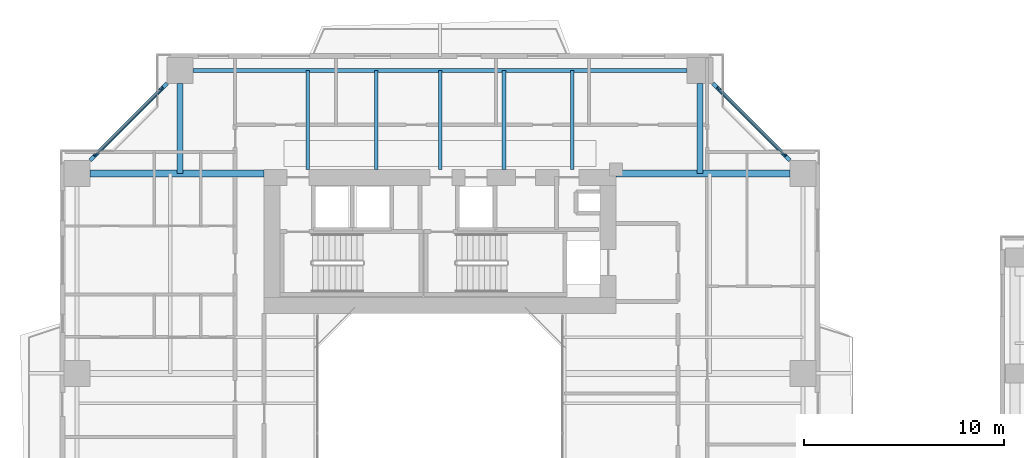
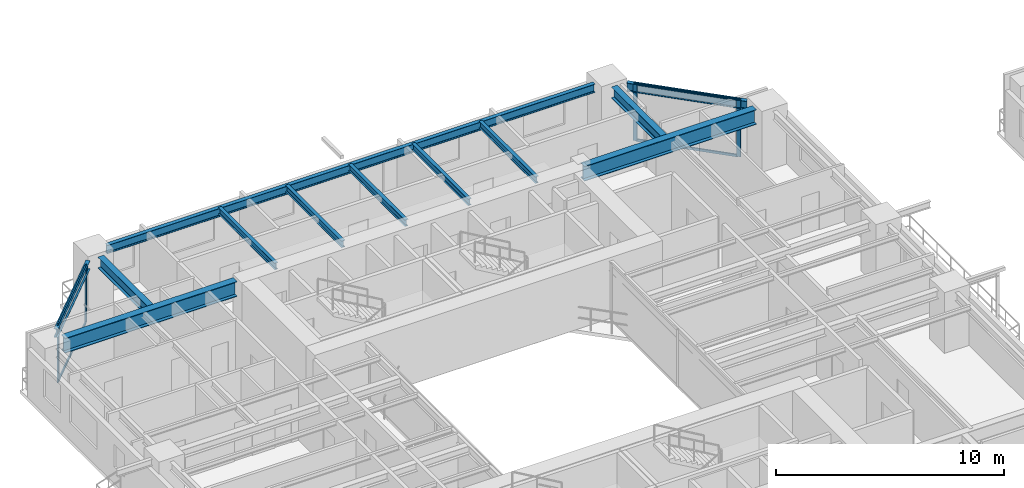
# One storey, part 10 of 23: 12 beams, 8 members, 2 elements without a shape of their own.
"""IFC4 building model written with IfcOpenShell, lengths in metres."""

from ifc_helpers import new_model, si_unit, direction, frame, origin, origin_2d, place, context, subcontext, project, spatial, rectangle, i_section, extrude, source, transform, mapped, material, layer, layer_set, material_profile, profile_set, type_object, element, aggregate, save


model = new_model("IFC4")

# Units and contexts
model_context = context("Model", 3, precision=1e-05, world=origin(), true_north=direction((0.0, 1.0)))
body_context = subcontext(model_context, "Body", "Model", "MODEL_VIEW")
ifc_project = project(units=[si_unit("LENGTHUNIT", "METRE"), si_unit("AREAUNIT", "SQUARE_METRE"), si_unit("VOLUMEUNIT", "CUBIC_METRE"), si_unit("PLANEANGLEUNIT", "RADIAN"), si_unit("MASSUNIT", "GRAM", prefix="KILO"), si_unit("THERMODYNAMICTEMPERATUREUNIT", "KELVIN"), si_unit("POWERUNIT", "WATT")], contexts=[model_context])

# Site, building, storey
site_placement = place(None, origin())
site = spatial("IfcSite", under=ifc_project, at=site_placement, CompositionType="ELEMENT")
building_placement = place(site_placement, origin())
building = spatial("IfcBuilding", under=site, at=building_placement, Name="Qiaomeng Ring Towers", CompositionType="ELEMENT")
storey_placement = place(building_placement, frame((0.0, 0.0, 66.5)))
storey = spatial("IfcBuildingStorey", under=building, at=storey_placement, Name="L18", CompositionType="ELEMENT", Elevation=66.5)

# Beams
ifc_material_1 = material(Name="Steel Q355B", Category="steel")
ifc_material_profile_1 = material_profile(ifc_material_1, i_section(OverallWidth=0.199951171875, OverallDepth=0.449951171875, WebThickness=0.009033203125, FlangeThickness=0.013916015625, FilletRadius=0.01806640625, at=origin_2d()), Name="HN 450x200x9x14")
ifc_profile_set_1 = profile_set([ifc_material_profile_1], Name="Steel Q355B")
beam_type_1 = type_object("IfcBeamType", Name="STR-BM-HN450", PredefinedType="SPANDREL", material=ifc_profile_set_1)
shared_shape_1 = source(origin(), body_context, "Body", "SweptSolid", [
    extrude(i_section(OverallWidth=0.199951171875, OverallDepth=0.449951171875, WebThickness=0.009033203125, FlangeThickness=0.013916015625, FilletRadius=0.01806640625, at=origin_2d()), origin(), (0.0, 0.0, 1.0), 24.7021484375),
])
beam_placement = place(storey_placement, frame((31.35107421875, 41.14990234375, 2.844970703125), z_axis=(-1.0, 0.0, 0.0), x_axis=(0.0, -1.0, 0.0)))
element("IfcBeam", 1, at=beam_placement, inside=storey, type_object=beam_type_1, Name="L18 beam STR-SP-L18-T1-N2-N1", PredefinedType="SPANDREL", context=body_context, shape_type="MappedRepresentation", body=[
    mapped(shared_shape_1, transform((0.0, 0.0, 0.0), x_axis=(1.0, 0.0, 0.0), y_axis=(0.0, 1.0, 0.0), z_axis=(0.0, 0.0, 1.0), scale=1.0)),
])
shared_shape_2 = source(origin(), body_context, "Body", "SweptSolid", [
    extrude(i_section(OverallWidth=0.199951171875, OverallDepth=0.449951171875, WebThickness=0.009033203125, FlangeThickness=0.013916015625, FilletRadius=0.01806640625, at=origin_2d()), origin(), (0.0, 0.0, 1.0), 5.446533203125),
])
for number, where, z_axis, x_axis, name in (
    (2, (36.500732421875, 36.6494140625, 2.844970703125), (-0.707106781187, 0.707106781187, 0.0), (-0.707106781187, -0.707106781187, 0.0), "L18 beam STR-SP-L18-T1-E4-N2"),
    (3, (5.3505859375, 40.500732421875, 2.844970703125), (-0.707106781187, -0.707106781187, 0.0), (0.707106781187, -0.707106781187, 0.0), "L18 beam STR-SP-L18-T1-N1-W4"),
):
    element("IfcBeam", number, at=place(storey_placement, frame(where, z_axis=z_axis, x_axis=x_axis)), inside=storey, type_object=beam_type_1, Name=name, PredefinedType="SPANDREL", context=body_context, shape_type="MappedRepresentation", body=[
        mapped(shared_shape_2, transform((0.0, 0.0, 0.0), x_axis=(1.0, 0.0, 0.0), y_axis=(0.0, 1.0, 0.0), z_axis=(0.0, 0.0, 1.0), scale=1.0)),
    ])
ifc_material_2 = material(Name="Steel Q390GJC", Category="steel")
ifc_material_profile_2 = material_profile(ifc_material_2, i_section(OverallWidth=0.35009765625, OverallDepth=0.800048828125, WebThickness=0.01611328125, FlangeThickness=0.028076171875, at=origin_2d()), Name="WH 800x350x16x28")
ifc_profile_set_2 = profile_set([ifc_material_profile_2], Name="Steel Q390GJC")
beam_type_2 = type_object("IfcBeamType", Name="STR-BM-WH800", PredefinedType="BEAM", material=ifc_profile_set_2)
shared_shape_3 = source(origin(), body_context, "Body", "SweptSolid", [
    extrude(i_section(OverallWidth=0.35009765625, OverallDepth=0.800048828125, WebThickness=0.01611328125, FlangeThickness=0.028076171875, at=origin_2d()), origin(), (0.0, 0.0, 1.0), 8.700927734375),
])
for number, where, z_axis, x_axis, name in (
    (4, (1.4990234375, 36.0, 2.669921875), (1.0, 0.0, 0.0), (0.0, 1.0, 0.0), "L18 beam STR-BM-L18-T1-RAD-W4"),
    (5, (27.800048828125, 36.0, 2.669921875), (1.0, 0.0, 0.0), (0.0, 1.0, 0.0), "L18 beam STR-BM-L18-T1-RAD-E4"),
):
    element("IfcBeam", number, at=place(storey_placement, frame(where, z_axis=z_axis, x_axis=x_axis)), inside=storey, type_object=beam_type_2, Name=name, PredefinedType="BEAM", context=body_context, shape_type="MappedRepresentation", body=[
        mapped(shared_shape_3, transform((0.0, 0.0, 0.0), x_axis=(1.0, 0.0, 0.0), y_axis=(0.0, 1.0, 0.0), z_axis=(0.0, 0.0, 1.0), scale=1.0)),
    ])
ifc_material_profile_3 = material_profile(ifc_material_1, i_section(OverallWidth=0.300048828125, OverallDepth=0.587890625, WebThickness=0.011962890625, FlangeThickness=0.02001953125, FilletRadius=0.028076171875, at=origin_2d()), Name="HM 588x300x12x20")
ifc_profile_set_3 = profile_set([ifc_material_profile_3], Name="Steel Q355B")
beam_type_3 = type_object("IfcBeamType", Name="STR-BM-HM588", PredefinedType="BEAM", material=ifc_profile_set_3)
shared_shape_4 = source(origin(), body_context, "Body", "SweptSolid", [
    extrude(i_section(OverallWidth=0.300048828125, OverallDepth=0.587890625, WebThickness=0.011962890625, FlangeThickness=0.02001953125, FilletRadius=0.028076171875, at=origin_2d()), origin(), (0.0, 0.0, 1.0), 4.5009765625),
])
for number, where, z_axis, x_axis, name in (
    (6, (6.0, 40.5009765625, 2.77587890625), (0.0, -1.0, 0.0), (1.0, 0.0, 0.0), "L18 beam STR-BM-L18-T1-RAD-N1"),
    (7, (32.0, 40.5009765625, 2.77587890625), (0.0, -1.0, 0.0), (1.0, 0.0, 0.0), "L18 beam STR-BM-L18-T1-RAD-N2"),
):
    element("IfcBeam", number, at=place(storey_placement, frame(where, z_axis=z_axis, x_axis=x_axis)), inside=storey, type_object=beam_type_3, Name=name, PredefinedType="BEAM", context=body_context, shape_type="MappedRepresentation", body=[
        mapped(shared_shape_4, transform((0.0, 0.0, 0.0), x_axis=(1.0, 0.0, 0.0), y_axis=(0.0, 1.0, 0.0), z_axis=(0.0, 0.0, 1.0), scale=1.0)),
    ])
ifc_material_profile_4 = material_profile(ifc_material_1, i_section(OverallWidth=0.175048828125, OverallDepth=0.35009765625, WebThickness=0.007080078125, FlangeThickness=0.010986328125, FilletRadius=0.013916015625, at=origin_2d()), Name="HN 350x175x7x11")
ifc_profile_set_4 = profile_set([ifc_material_profile_4], Name="Steel Q355B")
beam_type_4 = type_object("IfcBeamType", Name="STR-BM-HN350", PredefinedType="JOIST", material=ifc_profile_set_4)
shared_shape_5 = source(origin(), body_context, "Body", "SweptSolid", [
    extrude(i_section(OverallWidth=0.175048828125, OverallDepth=0.35009765625, WebThickness=0.007080078125, FlangeThickness=0.010986328125, FilletRadius=0.013916015625, at=origin_2d()), origin(), (0.0, 0.0, 1.0), 4.949951171875),
])
for number, where, z_axis, x_axis, name in (
    (8, (12.39990234375, 36.199951171875, 2.89501953125), (0.0, 1.0, 0.0), (-1.0, 0.0, 0.0), "L18 beam STR-JST-L18-T1N-1"),
    (9, (15.800048828125, 36.199951171875, 2.89501953125), (0.0, 1.0, 0.0), (-1.0, 0.0, 0.0), "L18 beam STR-JST-L18-T1N-2"),
    (10, (19.0, 36.199951171875, 2.89501953125), (0.0, 1.0, 0.0), (-1.0, 0.0, 0.0), "L18 beam STR-JST-L18-T1N-3"),
    (11, (22.199951171875, 36.199951171875, 2.89501953125), (0.0, 1.0, 0.0), (-1.0, 0.0, 0.0), "L18 beam STR-JST-L18-T1N-4"),
    (12, (25.60009765625, 36.199951171875, 2.89501953125), (0.0, 1.0, 0.0), (-1.0, 0.0, 0.0), "L18 beam STR-JST-L18-T1N-5"),
):
    element("IfcBeam", number, at=place(storey_placement, frame(where, z_axis=z_axis, x_axis=x_axis)), inside=storey, type_object=beam_type_4, Name=name, PredefinedType="JOIST", context=body_context, shape_type="MappedRepresentation", body=[
        mapped(shared_shape_5, transform((0.0, 0.0, 0.0), x_axis=(1.0, 0.0, 0.0), y_axis=(0.0, 1.0, 0.0), z_axis=(0.0, 0.0, 1.0), scale=1.0)),
    ])

# Curtain wall, members
ifc_material_3 = material(Name="Fluorocarbon dark-grey aluminium", Category="aluminium")
ifc_layer = layer(ifc_material_3, 0.159912109375, Name="Fluorocarbon dark-grey aluminium")
ifc_layer_set = layer_set([ifc_layer], Name="Fluorocarbon dark-grey aluminium")
curtain_wall_type = type_object("IfcCurtainWallType", Name="ARC-CW-2", PredefinedType="NOTDEFINED", material=ifc_layer_set)
curtain_wall_1_placement = place(storey_placement, origin())
curtain_wall_1 = element("IfcCurtainWall", 13, at=curtain_wall_1_placement, inside=storey, type_object=curtain_wall_type, Name="L18 Curtain Wall CW2", PredefinedType="NOTDEFINED")
ifc_material_profile_5 = material_profile(ifc_material_3, rectangle(XDim=0.070068359375, YDim=0.179931640625, at=origin_2d()), Name="ALU MULL 70x180")
ifc_profile_set_5 = profile_set([ifc_material_profile_5], Name="Fluorocarbon dark-grey aluminium")
member_type_1 = type_object("IfcMemberType", Name="ARC-CWM-160", PredefinedType="MULLION", material=ifc_profile_set_5)
shared_shape_6 = source(origin(), body_context, "Body", "SweptSolid", [
    extrude(rectangle(XDim=0.070068359375, YDim=0.179931640625, at=origin_2d()), origin(), (0.0, 0.0, 1.0), 3.070068359375),
])
member_1_placement = place(storey_placement, frame((36.2353515625, 36.914794921875, 0.0), z_axis=(0.0, 0.0, 1.0), x_axis=(-0.707106781187, -0.707106781187, 0.0)))
member_1 = element("IfcMember", 14, at=member_1_placement, type_object=member_type_1, Name="CW2 mullion 1", PredefinedType="MULLION", context=body_context, shape_type="MappedRepresentation", body=[
    mapped(shared_shape_6, transform((0.0, 0.0, 0.0), x_axis=(1.0, 0.0, 0.0), y_axis=(0.0, 1.0, 0.0), z_axis=(0.0, 0.0, 1.0), scale=1.0)),
])
member_2_placement = place(storey_placement, frame((32.914794921875, 40.2353515625, 0.0), z_axis=(0.0, 0.0, 1.0), x_axis=(-0.707106781187, -0.707106781187, 0.0)))
member_2 = element("IfcMember", 15, at=member_2_placement, type_object=member_type_1, Name="CW2 mullion 2", PredefinedType="MULLION", context=body_context, shape_type="MappedRepresentation", body=[
    mapped(shared_shape_6, transform((0.0, 0.0, 0.0), x_axis=(1.0, 0.0, 0.0), y_axis=(0.0, 1.0, 0.0), z_axis=(0.0, 0.0, 1.0), scale=1.0)),
])

curtain_wall_2_placement = place(storey_placement, origin())
curtain_wall_2 = element("IfcCurtainWall", 16, at=curtain_wall_2_placement, inside=storey, type_object=curtain_wall_type, Name="L18 Curtain Wall CW2", PredefinedType="NOTDEFINED")
member_3_placement = place(storey_placement, frame((5.085205078125, 40.2353515625, 0.0), z_axis=(0.0, 0.0, 1.0), x_axis=(0.707106781187, -0.707106781187, 0.0)))
member_3 = element("IfcMember", 17, at=member_3_placement, type_object=member_type_1, Name="CW2 mullion 1", PredefinedType="MULLION", context=body_context, shape_type="MappedRepresentation", body=[
    mapped(shared_shape_6, transform((0.0, 0.0, 0.0), x_axis=(1.0, 0.0, 0.0), y_axis=(0.0, 1.0, 0.0), z_axis=(0.0, 0.0, 1.0), scale=1.0)),
])
member_4_placement = place(storey_placement, frame((1.7646484375, 36.914794921875, 0.0), z_axis=(0.0, 0.0, 1.0), x_axis=(0.707106781187, -0.707106781187, 0.0)))
member_4 = element("IfcMember", 18, at=member_4_placement, type_object=member_type_1, Name="CW2 mullion 2", PredefinedType="MULLION", context=body_context, shape_type="MappedRepresentation", body=[
    mapped(shared_shape_6, transform((0.0, 0.0, 0.0), x_axis=(1.0, 0.0, 0.0), y_axis=(0.0, 1.0, 0.0), z_axis=(0.0, 0.0, 1.0), scale=1.0)),
])

# Member
ifc_material_profile_6 = material_profile(ifc_material_3, rectangle(XDim=0.06494140625, YDim=0.1298828125, at=origin_2d()), Name="ALU TRAN 65x130")
ifc_profile_set_6 = profile_set([ifc_material_profile_6], Name="Fluorocarbon dark-grey aluminium")
member_type_2 = type_object("IfcMemberType", Name="ARC-CWT-120", PredefinedType="USERDEFINED", material=ifc_profile_set_6)
shared_shape_7 = source(origin(), body_context, "Body", "SweptSolid", [
    extrude(rectangle(XDim=0.06494140625, YDim=0.1298828125, at=origin_2d()), origin(), (0.0, 0.0, 1.0), 4.6259765625),
])
member_5_placement = place(storey_placement, frame((36.21044921875, 36.939453125, 0.032470703125), z_axis=(-0.707106781187, 0.707106781187, 0.0), x_axis=(-0.707106781187, -0.707106781187, 0.0)))
member_5 = element("IfcMember", 19, at=member_5_placement, type_object=member_type_2, Name="CW2 transom 1.1", ObjectType="TRANSOM", PredefinedType="USERDEFINED", context=body_context, shape_type="MappedRepresentation", body=[
    mapped(shared_shape_7, transform((0.0, 0.0, 0.0), x_axis=(1.0, 0.0, 0.0), y_axis=(0.0, 1.0, 0.0), z_axis=(0.0, 0.0, 1.0), scale=1.0)),
])

member_6_placement = place(storey_placement, frame((36.21044921875, 36.939453125, 3.03759765625), z_axis=(-0.707106781187, 0.707106781187, 0.0), x_axis=(-0.707106781187, -0.707106781187, 0.0)))
member_6 = element("IfcMember", 20, at=member_6_placement, type_object=member_type_2, Name="CW2 transom 1.2", ObjectType="TRANSOM", PredefinedType="USERDEFINED", context=body_context, shape_type="MappedRepresentation", body=[
    mapped(shared_shape_7, transform((0.0, 0.0, 0.0), x_axis=(1.0, 0.0, 0.0), y_axis=(0.0, 1.0, 0.0), z_axis=(0.0, 0.0, 1.0), scale=1.0)),
])

aggregate(curtain_wall_1, [member_1, member_2, member_5, member_6])

member_7_placement = place(storey_placement, frame((5.060546875, 40.21044921875, 0.032470703125), z_axis=(-0.707106781187, -0.707106781187, 0.0), x_axis=(0.707106781187, -0.707106781187, 0.0)))
member_7 = element("IfcMember", 21, at=member_7_placement, type_object=member_type_2, Name="CW2 transom 1.1", ObjectType="TRANSOM", PredefinedType="USERDEFINED", context=body_context, shape_type="MappedRepresentation", body=[
    mapped(shared_shape_7, transform((0.0, 0.0, 0.0), x_axis=(1.0, 0.0, 0.0), y_axis=(0.0, 1.0, 0.0), z_axis=(0.0, 0.0, 1.0), scale=1.0)),
])

member_8_placement = place(storey_placement, frame((5.060546875, 40.21044921875, 3.03759765625), z_axis=(-0.707106781187, -0.707106781187, 0.0), x_axis=(0.707106781187, -0.707106781187, 0.0)))
member_8 = element("IfcMember", 22, at=member_8_placement, type_object=member_type_2, Name="CW2 transom 1.2", ObjectType="TRANSOM", PredefinedType="USERDEFINED", context=body_context, shape_type="MappedRepresentation", body=[
    mapped(shared_shape_7, transform((0.0, 0.0, 0.0), x_axis=(1.0, 0.0, 0.0), y_axis=(0.0, 1.0, 0.0), z_axis=(0.0, 0.0, 1.0), scale=1.0)),
])

aggregate(curtain_wall_2, [member_3, member_4, member_7, member_8])

save(model, "model.ifc")
